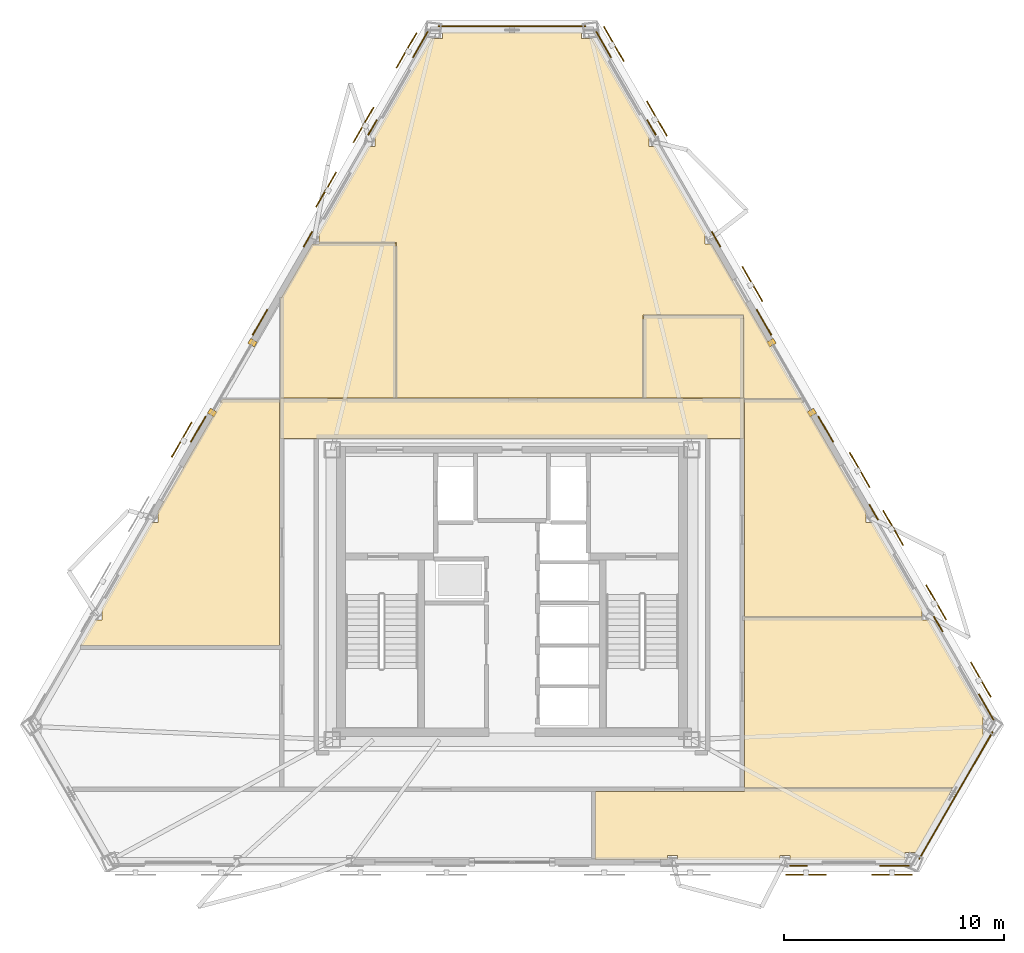
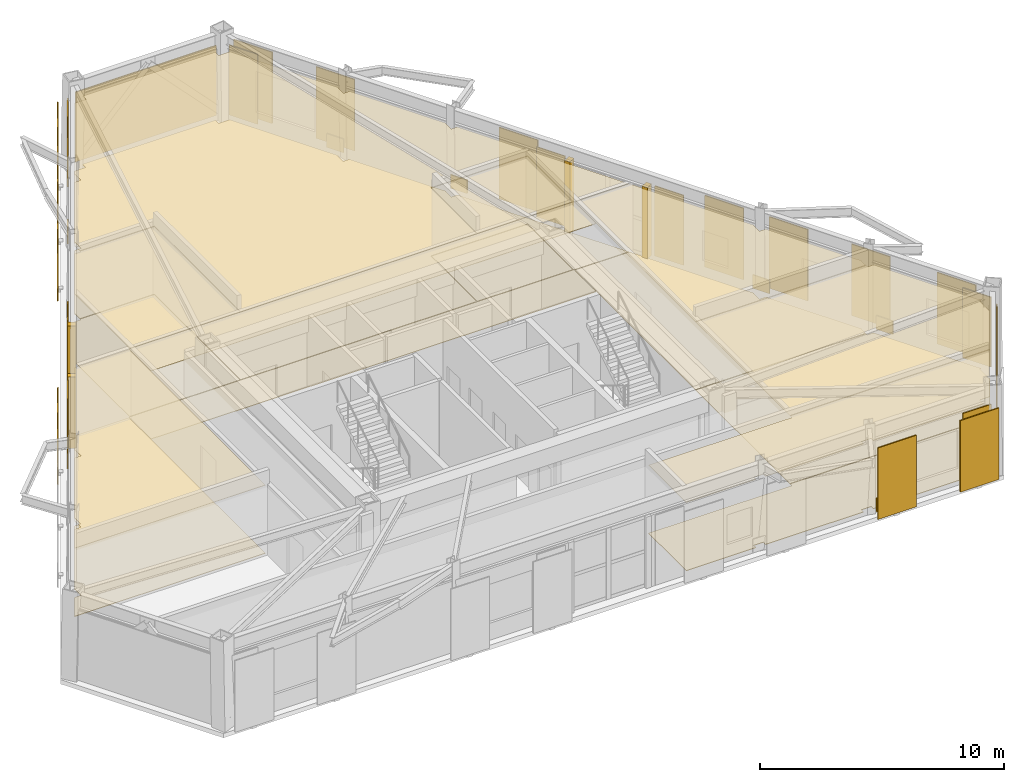
# One storey, part 13 of 14: 37 coverings, 13 shading devices.
"""IFC4 building model written with IfcOpenShell, lengths in metres."""

from ifc_helpers import new_model, si_unit, direction, frame, origin, origin_2d, place, context, subcontext, project, spatial, polyline, rectangle, outline, extrude, material, layer, layer_set, type_object, element, save


model = new_model("IFC4")

# Units and contexts
model_context = context("Model", 3, precision=1e-05, world=origin(), true_north=direction((0.0, 1.0)))
body_context = subcontext(model_context, "Body", "Model", "MODEL_VIEW")
ifc_project = project(units=[si_unit("LENGTHUNIT", "METRE"), si_unit("AREAUNIT", "SQUARE_METRE"), si_unit("VOLUMEUNIT", "CUBIC_METRE"), si_unit("PLANEANGLEUNIT", "RADIAN"), si_unit("MASSUNIT", "GRAM", prefix="KILO")], contexts=[model_context])

# Site, building, storey
site_placement = place(None, origin())
site = spatial("IfcSite", under=ifc_project, at=site_placement, CompositionType="ELEMENT")
building_placement = place(site_placement, origin())
building = spatial("IfcBuilding", under=site, at=building_placement, Name="Oramaril Tower", CompositionType="ELEMENT")
storey_placement = place(building_placement, frame((0.0, 0.0, 204.60009765625)))
storey = spatial("IfcBuildingStorey", under=building, at=storey_placement, Name="L54", CompositionType="ELEMENT", Elevation=204.60009765625)

# Coverings
ifc_material_1 = material(Name="Mineral Fibre Acoustic Ceiling")
ifc_layer_1 = layer(ifc_material_1, 0.02001953125)
ifc_layer_set_1 = layer_set([ifc_layer_1], Name="CVT-CEIL")
covering_type_1 = type_object("IfcCoveringType", Name="CVT-CEIL", PredefinedType="CEILING", material=ifc_layer_set_1)
covering_1_placement = place(storey_placement, frame((0.0, 0.0, 3.411865234375)))
element("IfcCovering", 1, at=covering_1_placement, inside=storey, type_object=covering_type_1, Name="L54 Acoustic Suspended Ceiling 2", PredefinedType="CEILING", context=body_context, shape_type="SweptSolid", body=[
    extrude(outline(polyline([(48.030029296875, 26.47998046875), (48.030029296875, 24.669921875), (26.969970703125, 24.669921875), (26.969970703125, 26.47998046875), (48.030029296875, 26.47998046875)])), origin(), (0.0, 0.0, 1.0), 0.02001953125),
])
covering_2_placement = place(storey_placement, frame((0.0, 0.0, 3.411865234375)))
element("IfcCovering", 2, at=covering_2_placement, inside=storey, type_object=covering_type_1, Name="L54 Acoustic Suspended Ceiling 6", PredefinedType="CEILING", context=body_context, shape_type="SweptSolid", body=[
    extrude(outline(polyline([(50.1181640625, 5.73681640625), (49.659912109375, 5.73681640625), (49.659912109375, 5.557373046875), (45.0126953125, 5.557373046875), (45.0126953125, 5.73681640625), (44.5625, 5.73681640625), (44.5625, 5.557373046875), (41.261962890625, 5.557373046875), (41.261962890625, 8.64990234375), (48.030029296875, 8.64990234375), (48.031982421875, 8.650146484375), (48.033935546875, 8.650390625), (48.035888671875, 8.65087890625), (48.03759765625, 8.651611328125), (48.039306640625, 8.65234375), (48.041015625, 8.6533203125), (48.042724609375, 8.654541015625), (48.044189453125, 8.656005859375), (48.04541015625, 8.6572265625), (48.046630859375, 8.658935546875), (48.047607421875, 8.66064453125), (48.048583984375, 8.662353515625), (48.049072265625, 8.664306640625), (48.049560546875, 8.666015625), (48.0498046875, 8.66796875), (48.050048828125, 8.669921875), (48.050048828125, 8.7919921875), (57.510009765625, 8.7919921875), (55.8330078125, 5.88720703125), (55.334716796875, 5.88720703125), (55.334716796875, 5.557373046875), (50.1181640625, 5.557373046875), (50.1181640625, 5.73681640625)])), origin(), (0.0, 0.0, 1.0), 0.02001953125),
])
covering_3_placement = place(storey_placement, frame((0.0, 0.0, 3.411865234375)))
element("IfcCovering", 3, at=covering_3_placement, inside=storey, type_object=covering_type_1, Name="L54 Acoustic Suspended Ceiling 8", PredefinedType="CEILING", context=body_context, shape_type="SweptSolid", body=[
    extrude(outline(polyline([(18.591064453125, 16.434326171875), (18.89111328125, 16.434326171875), (18.89111328125, 16.92431640625), (18.873779296875, 16.92431640625), (21.143798828125, 20.855712890625), (21.44384765625, 20.855712890625), (21.44384765625, 21.338623046875), (21.422607421875, 21.338623046875), (24.368896484375, 26.44189453125), (26.949951171875, 26.44189453125), (26.949951171875, 24.669921875), (26.9501953125, 24.66796875), (26.950439453125, 24.666015625), (26.950927734375, 24.664306640625), (26.951416015625, 24.662353515625), (26.952392578125, 24.66064453125), (26.95263671875, 24.659912109375), (26.952392578125, 24.659423828125), (26.951416015625, 24.65771484375), (26.950927734375, 24.65576171875), (26.950439453125, 24.65380859375), (26.9501953125, 24.652099609375), (26.949951171875, 24.64990234375), (26.949951171875, 15.261962890625), (17.914306640625, 15.261962890625), (18.591064453125, 16.434326171875)])), origin(), (0.0, 0.0, 1.0), 0.02001953125),
])
covering_4_placement = place(storey_placement, frame((0.0, 0.0, 3.411865234375)))
element("IfcCovering", 4, at=covering_4_placement, inside=storey, type_object=covering_type_1, Name="L54 Acoustic Suspended Ceiling 9", PredefinedType="CEILING", context=body_context, shape_type="SweptSolid", body=[
    extrude(outline(polyline([(56.10888671875, 16.5419921875), (56.10888671875, 16.434326171875), (56.408935546875, 16.434326171875), (58.951904296875, 12.029541015625), (58.87548828125, 12.029541015625), (58.87548828125, 11.23095703125), (58.918212890625, 11.23095703125), (57.52001953125, 8.809326171875), (57.51953125, 8.8095703125), (57.517578125, 8.810302734375), (57.515869140625, 8.81103515625), (57.513916015625, 8.8115234375), (57.511962890625, 8.81201171875), (57.510009765625, 8.81201171875), (48.050048828125, 8.81201171875), (48.050048828125, 10.47998046875), (48.0498046875, 10.48193359375), (48.049560546875, 10.48388671875), (48.049072265625, 10.48583984375), (48.048583984375, 10.48779296875), (48.047607421875, 10.489501953125), (48.04736328125, 10.489990234375), (48.047607421875, 10.490478515625), (48.048583984375, 10.4921875), (48.049072265625, 10.494140625), (48.049560546875, 10.49609375), (48.0498046875, 10.498046875), (48.050048828125, 10.5), (48.050048828125, 16.5419921875), (56.10888671875, 16.5419921875)])), origin(), (0.0, 0.0, 1.0), 0.02001953125),
])
covering_5_placement = place(storey_placement, frame((0.0, 0.0, 3.411865234375)))
element("IfcCovering", 5, at=covering_5_placement, inside=storey, type_object=covering_type_1, Name="L54 Acoustic Suspended Ceiling 10", PredefinedType="CEILING", context=body_context, shape_type="SweptSolid", body=[
    extrude(outline(polyline([(53.577392578125, 21.338623046875), (53.55615234375, 21.338623046875), (53.55615234375, 20.855712890625), (53.856201171875, 20.855712890625), (56.126220703125, 16.92431640625), (56.10888671875, 16.92431640625), (56.10888671875, 16.56201171875), (48.050048828125, 16.56201171875), (48.050048828125, 24.64990234375), (48.0498046875, 24.652099609375), (48.049560546875, 24.65380859375), (48.049072265625, 24.65576171875), (48.048583984375, 24.65771484375), (48.047607421875, 24.659423828125), (48.04736328125, 24.659912109375), (48.047607421875, 24.66064453125), (48.048583984375, 24.662353515625), (48.049072265625, 24.664306640625), (48.049560546875, 24.666015625), (48.0498046875, 24.66796875), (48.050048828125, 24.669921875), (48.050048828125, 26.44189453125), (50.631103515625, 26.44189453125), (53.577392578125, 21.338623046875)])), origin(), (0.0, 0.0, 1.0), 0.02001953125),
])
covering_6_placement = place(storey_placement, frame((0.0, 0.0, 3.411865234375)))
element("IfcCovering", 6, at=covering_6_placement, inside=storey, type_object=covering_type_1, Name="L54 Acoustic Suspended Ceiling 11", PredefinedType="CEILING", context=body_context, shape_type="SweptSolid", body=[
    extrude(outline(polyline([(32.241943359375, 26.5), (27.008056640625, 26.5), (27.008056640625, 31.0126953125), (28.43701171875, 33.488037109375), (28.7373046875, 33.488037109375), (28.7373046875, 33.5419921875), (32.241943359375, 33.5419921875), (32.241943359375, 26.5)])), origin(), (0.0, 0.0, 1.0), 0.02001953125),
])
covering_7_placement = place(storey_placement, frame((0.0, 0.0, 3.411865234375)))
element("IfcCovering", 7, at=covering_7_placement, inside=storey, type_object=covering_type_1, Name="L54 Acoustic Suspended Ceiling 12", PredefinedType="CEILING", context=body_context, shape_type="SweptSolid", body=[
    extrude(outline(polyline([(47.991943359375, 30.241943359375), (47.991943359375, 26.5), (43.4580078125, 26.5), (43.4580078125, 30.241943359375), (47.991943359375, 30.241943359375)])), origin(), (0.0, 0.0, 1.0), 0.02001953125),
])
covering_8_placement = place(storey_placement, frame((0.0, 0.0, 3.411865234375)))
element("IfcCovering", 8, at=covering_8_placement, inside=storey, type_object=covering_type_1, Name="L54 Acoustic Suspended Ceiling 13", PredefinedType="CEILING", context=body_context, shape_type="SweptSolid", body=[
    extrude(outline(polyline([(28.7373046875, 33.951171875), (28.70458984375, 33.951171875), (30.98974609375, 37.909423828125), (31.289794921875, 37.909423828125), (31.289794921875, 38.365478515625), (31.253173828125, 38.365478515625), (33.820068359375, 42.811767578125), (34.357666015625, 42.811767578125), (34.357666015625, 43.083251953125), (40.642333984375, 43.083251953125), (40.642333984375, 42.811767578125), (41.179931640625, 42.811767578125), (43.746826171875, 38.365478515625), (43.710205078125, 38.365478515625), (43.710205078125, 37.909423828125), (44.01025390625, 37.909423828125), (46.29541015625, 33.951171875), (46.2626953125, 33.951171875), (46.2626953125, 33.488037109375), (46.56298828125, 33.488037109375), (50.619384765625, 26.4619140625), (48.050048828125, 26.4619140625), (48.050048828125, 26.47998046875), (48.0498046875, 26.48193359375), (48.049560546875, 26.48388671875), (48.049072265625, 26.48583984375), (48.048583984375, 26.48779296875), (48.047607421875, 26.489501953125), (48.046630859375, 26.4912109375), (48.04541015625, 26.49267578125), (48.044189453125, 26.494140625), (48.042724609375, 26.49560546875), (48.041015625, 26.49658203125), (48.039306640625, 26.49755859375), (48.03759765625, 26.49853515625), (48.035888671875, 26.4990234375), (48.033935546875, 26.49951171875), (48.031982421875, 26.5), (48.030029296875, 26.5), (48.011962890625, 26.5), (48.011962890625, 30.241943359375), (48.011962890625, 30.243896484375), (48.01171875, 30.245849609375), (48.010986328125, 30.247802734375), (48.010498046875, 30.249755859375), (48.009521484375, 30.25146484375), (48.008544921875, 30.253173828125), (48.007568359375, 30.254638671875), (48.006103515625, 30.256103515625), (48.004638671875, 30.257568359375), (48.003173828125, 30.258544921875), (48.00146484375, 30.259521484375), (47.999755859375, 30.260498046875), (47.997802734375, 30.260986328125), (47.995849609375, 30.26171875), (47.993896484375, 30.261962890625), (47.991943359375, 30.261962890625), (43.4580078125, 30.261962890625), (43.4560546875, 30.261962890625), (43.4541015625, 30.26171875), (43.4521484375, 30.260986328125), (43.4501953125, 30.260498046875), (43.448486328125, 30.259521484375), (43.447021484375, 30.258544921875), (43.4453125, 30.257568359375), (43.44384765625, 30.256103515625), (43.4423828125, 30.254638671875), (43.44140625, 30.253173828125), (43.4404296875, 30.25146484375), (43.439453125, 30.249755859375), (43.43896484375, 30.247802734375), (43.4384765625, 30.245849609375), (43.43798828125, 30.243896484375), (43.43798828125, 30.241943359375), (43.43798828125, 26.5), (32.261962890625, 26.5), (32.261962890625, 33.5419921875), (32.261962890625, 33.5439453125), (32.26171875, 33.5458984375), (32.260986328125, 33.5478515625), (32.260498046875, 33.5498046875), (32.259521484375, 33.551513671875), (32.258544921875, 33.552978515625), (32.257568359375, 33.5546875), (32.256103515625, 33.55615234375), (32.254638671875, 33.5576171875), (32.253173828125, 33.55859375), (32.25146484375, 33.5595703125), (32.249755859375, 33.560546875), (32.247802734375, 33.56103515625), (32.245849609375, 33.5615234375), (32.243896484375, 33.56201171875), (32.241943359375, 33.56201171875), (28.7373046875, 33.56201171875), (28.7373046875, 33.951171875)])), origin(), (0.0, 0.0, 1.0), 0.02001953125),
])
ifc_material_2 = material(Name="Warm Cream Limestone", Category="masonry")
ifc_layer_2 = layer(ifc_material_2, 0.050048828125)
ifc_layer_set_2 = layer_set([ifc_layer_2], Name="CVT-CLD")
covering_type_2 = type_object("IfcCoveringType", Name="CVT-CLD", PredefinedType="CLADDING", material=ifc_layer_set_2)
covering_9_placement = place(storey_placement, frame((54.854736328125, 5.28125, 0.039794921875), z_axis=(0.0, 0.0, 1.0), x_axis=(1.0, 0.0, 0.0)))
element("IfcCovering", 9, at=covering_9_placement, inside=storey, type_object=covering_type_2, Name="L54 Warm Cream Limestone Cladding", PredefinedType="CLADDING", context=body_context, shape_type="SweptSolid", body=[
    extrude(rectangle(XDim=1.35009765625, YDim=0.050048828125, at=origin_2d()), origin(), (0.0, 0.0, 1.0), 3.4970703125),
])
covering_10_placement = place(storey_placement, frame((50.50341796875, 5.28125, 0.0400390625), z_axis=(0.0, 0.0, 1.0), x_axis=(1.0, 0.0, 0.0)))
element("IfcCovering", 10, at=covering_10_placement, inside=storey, type_object=covering_type_2, Name="L54 Warm Cream Limestone Spandrel Cladding", PredefinedType="CLADDING", context=body_context, shape_type="SweptSolid", body=[
    extrude(rectangle(XDim=0.800048828125, YDim=0.050048828125, at=origin_2d()), origin(), (0.0, 0.0, 1.0), 0.679931640625),
])
covering_11_placement = place(storey_placement, frame((57.64306640625, 8.470458984375, 0.039794921875), z_axis=(0.0, 0.0, 1.0), x_axis=(0.4999984885, 0.866026276448, 0.0)))
element("IfcCovering", 11, at=covering_11_placement, inside=storey, type_object=covering_type_2, Name="L54 Warm Cream Limestone Cladding", PredefinedType="CLADDING", context=body_context, shape_type="SweptSolid", body=[
    extrude(rectangle(XDim=6.6708984375, YDim=0.050048828125, at=origin_2d()), origin(), (0.0, 0.0, 1.0), 3.4970703125),
])
for number, where, z_axis, x_axis, name in (
    (12, (51.102783203125, 25.840576171875, 0.0), (0.0, 0.0, 1.0), (-0.5, 0.866025403784, 0.0), "L54 Curtain Wall Limestone Jamb Closure"),
    (13, (49.27294921875, 29.01025390625, 0.0), (0.0, 0.0, 1.0), (-0.5, 0.866025403784, 0.0), "L54 Curtain Wall Limestone Jamb Closure"),
):
    element("IfcCovering", number, at=place(storey_placement, frame(where, z_axis=z_axis, x_axis=x_axis)), inside=storey, type_object=covering_type_2, Name=name, PredefinedType="CLADDING", context=body_context, shape_type="SweptSolid", body=[
        extrude(rectangle(XDim=0.260009765625, YDim=0.340087890625, at=origin_2d()), origin(), (0.0, 0.0, 1.0), 3.576904296875),
    ])
for number, where, z_axis, x_axis, name in (
    (14, (59.0107421875, 12.479736328125, 0.039794921875), (0.0, 0.0, 1.0), (-0.5, 0.866025403784, 0.0), "L54 Warm Cream Limestone Cladding"),
    (15, (51.7333984375, 25.084716796875, 0.039794921875), (0.0, 0.0, 1.0), (-0.5, 0.866025403784, 0.0), "L54 Warm Cream Limestone Cladding"),
):
    element("IfcCovering", number, at=place(storey_placement, frame(where, z_axis=z_axis, x_axis=x_axis)), inside=storey, type_object=covering_type_2, Name=name, PredefinedType="CLADDING", context=body_context, shape_type="SweptSolid", body=[
        extrude(rectangle(XDim=1.35009765625, YDim=0.050048828125, at=origin_2d()), origin(), (0.0, 0.0, 1.0), 3.4970703125),
    ])
for number, where, z_axis, x_axis, name in (
    (16, (56.8349609375, 16.248291015625, 0.0400390625), (0.0, 0.0, 1.0), (-0.5, 0.866025403784, 0.0), "L54 Warm Cream Limestone Spandrel Cladding"),
    (17, (53.9091796875, 21.31591796875, 0.0400390625), (0.0, 0.0, 1.0), (-0.5, 0.866025403784, 0.0), "L54 Warm Cream Limestone Spandrel Cladding"),
):
    element("IfcCovering", number, at=place(storey_placement, frame(where, z_axis=z_axis, x_axis=x_axis)), inside=storey, type_object=covering_type_2, Name=name, PredefinedType="CLADDING", context=body_context, shape_type="SweptSolid", body=[
        extrude(rectangle(XDim=0.800048828125, YDim=0.050048828125, at=origin_2d()), origin(), (0.0, 0.0, 1.0), 0.679931640625),
    ])
for number, where, z_axis, x_axis, name in (
    (18, (48.933349609375, 29.934326171875, 0.039794921875), (0.0, 0.0, 1.0), (-0.5, 0.866025403784, 0.0), "L54 Warm Cream Limestone Cladding"),
    (19, (41.656005859375, 42.5390625, 0.039794921875), (0.0, 0.0, 1.0), (-0.5, 0.866025403784, 0.0), "L54 Warm Cream Limestone Cladding"),
):
    element("IfcCovering", number, at=place(storey_placement, frame(where, z_axis=z_axis, x_axis=x_axis)), inside=storey, type_object=covering_type_2, Name=name, PredefinedType="CLADDING", context=body_context, shape_type="SweptSolid", body=[
        extrude(rectangle(XDim=1.35009765625, YDim=0.050048828125, at=origin_2d()), origin(), (0.0, 0.0, 1.0), 3.4970703125),
    ])
for number, where, z_axis, x_axis, name in (
    (20, (46.757568359375, 33.702880859375, 0.0400390625), (0.0, 0.0, 1.0), (-0.5, 0.866025403784, 0.0), "L54 Warm Cream Limestone Spandrel Cladding"),
    (21, (43.831787109375, 38.7705078125, 0.0400390625), (0.0, 0.0, 1.0), (-0.5, 0.866025403784, 0.0), "L54 Warm Cream Limestone Spandrel Cladding"),
):
    element("IfcCovering", number, at=place(storey_placement, frame(where, z_axis=z_axis, x_axis=x_axis)), inside=storey, type_object=covering_type_2, Name=name, PredefinedType="CLADDING", context=body_context, shape_type="SweptSolid", body=[
        extrude(rectangle(XDim=0.800048828125, YDim=0.050048828125, at=origin_2d()), origin(), (0.0, 0.0, 1.0), 0.679931640625),
    ])
covering_12_placement = place(storey_placement, frame((37.5, 43.359130859375, 0.039794921875), z_axis=(0.0, 0.0, 1.0), x_axis=(-1.0, 0.0, 0.0)))
element("IfcCovering", 22, at=covering_12_placement, inside=storey, type_object=covering_type_2, Name="L54 Warm Cream Limestone Cladding", PredefinedType="CLADDING", context=body_context, shape_type="SweptSolid", body=[
    extrude(rectangle(XDim=6.6708984375, YDim=0.050048828125, at=origin_2d()), origin(), (0.0, 0.0, 1.0), 3.4970703125),
])
for number, where, z_axis, x_axis, name in (
    (23, (25.72705078125, 29.01025390625, 0.0), (0.0, 0.0, 1.0), (-0.5, -0.866025403784, 0.0), "L54 Curtain Wall Limestone Jamb Closure"),
    (24, (23.897216796875, 25.840576171875, 0.0), (0.0, 0.0, 1.0), (-0.5, -0.866025403784, 0.0), "L54 Curtain Wall Limestone Jamb Closure"),
):
    element("IfcCovering", number, at=place(storey_placement, frame(where, z_axis=z_axis, x_axis=x_axis)), inside=storey, type_object=covering_type_2, Name=name, PredefinedType="CLADDING", context=body_context, shape_type="SweptSolid", body=[
        extrude(rectangle(XDim=0.260009765625, YDim=0.340087890625, at=origin_2d()), origin(), (0.0, 0.0, 1.0), 3.576904296875),
    ])
for number, where, z_axis, x_axis, name in (
    (25, (33.343994140625, 42.5390625, 0.039794921875), (0.0, 0.0, 1.0), (-0.5, -0.866025403784, 0.0), "L54 Warm Cream Limestone Cladding"),
    (26, (26.066650390625, 29.93408203125, 0.039794921875), (0.0, 0.0, 1.0), (-0.5, -0.866025403784, 0.0), "L54 Warm Cream Limestone Cladding"),
):
    element("IfcCovering", number, at=place(storey_placement, frame(where, z_axis=z_axis, x_axis=x_axis)), inside=storey, type_object=covering_type_2, Name=name, PredefinedType="CLADDING", context=body_context, shape_type="SweptSolid", body=[
        extrude(rectangle(XDim=1.35009765625, YDim=0.050048828125, at=origin_2d()), origin(), (0.0, 0.0, 1.0), 3.4970703125),
    ])
for number, where, z_axis, x_axis, name in (
    (27, (31.168212890625, 38.7705078125, 0.0400390625), (0.0, 0.0, 1.0), (-0.5, -0.866025403784, 0.0), "L54 Warm Cream Limestone Spandrel Cladding"),
    (28, (28.242431640625, 33.702880859375, 0.0400390625), (0.0, 0.0, 1.0), (-0.5, -0.866025403784, 0.0), "L54 Warm Cream Limestone Spandrel Cladding"),
):
    element("IfcCovering", number, at=place(storey_placement, frame(where, z_axis=z_axis, x_axis=x_axis)), inside=storey, type_object=covering_type_2, Name=name, PredefinedType="CLADDING", context=body_context, shape_type="SweptSolid", body=[
        extrude(rectangle(XDim=0.800048828125, YDim=0.050048828125, at=origin_2d()), origin(), (0.0, 0.0, 1.0), 0.679931640625),
    ])
covering_13_placement = place(storey_placement, frame((23.2666015625, 25.08447265625, 0.039794921875), z_axis=(0.0, 0.0, 1.0), x_axis=(-0.5, -0.866025403784, 0.0)))
element("IfcCovering", 29, at=covering_13_placement, inside=storey, type_object=covering_type_2, Name="L54 Warm Cream Limestone Cladding", PredefinedType="CLADDING", context=body_context, shape_type="SweptSolid", body=[
    extrude(rectangle(XDim=1.35009765625, YDim=0.050048828125, at=origin_2d()), origin(), (0.0, 0.0, 1.0), 3.4970703125),
])
ifc_material_3 = material(Name="Honed Quartzite Stone Flooring", Category="masonry")
ifc_layer_3 = layer(ifc_material_3, 0.02490234375)
ifc_layer_set_3 = layer_set([ifc_layer_3], Name="CVT-FLR")
covering_type_3 = type_object("IfcCoveringType", Name="CVT-FLR", PredefinedType="FLOORING", material=ifc_layer_set_3)
covering_14_placement = place(storey_placement, origin())
element("IfcCovering", 30, at=covering_14_placement, inside=storey, type_object=covering_type_3, Name="L54 Honed Stone Floor Finish 2", PredefinedType="FLOORING", context=body_context, shape_type="SweptSolid", body=[
    extrude(outline(polyline([(48.030029296875, 26.47998046875), (48.030029296875, 24.669921875), (26.969970703125, 24.669921875), (26.969970703125, 26.47998046875), (48.030029296875, 26.47998046875)])), origin(), (0.0, 0.0, 1.0), 0.02490234375),
])
covering_15_placement = place(storey_placement, origin())
element("IfcCovering", 31, at=covering_15_placement, inside=storey, type_object=covering_type_3, Name="L54 Honed Stone Floor Finish 6", PredefinedType="FLOORING", context=body_context, shape_type="SweptSolid", body=[
    extrude(outline(polyline([(50.1181640625, 5.73681640625), (49.659912109375, 5.73681640625), (49.659912109375, 5.557373046875), (45.0126953125, 5.557373046875), (45.0126953125, 5.73681640625), (44.5625, 5.73681640625), (44.5625, 5.557373046875), (41.261962890625, 5.557373046875), (41.261962890625, 8.64990234375), (48.030029296875, 8.64990234375), (48.031982421875, 8.650146484375), (48.033935546875, 8.650390625), (48.035888671875, 8.65087890625), (48.03759765625, 8.651611328125), (48.039306640625, 8.65234375), (48.041015625, 8.6533203125), (48.042724609375, 8.654541015625), (48.044189453125, 8.656005859375), (48.04541015625, 8.6572265625), (48.046630859375, 8.658935546875), (48.047607421875, 8.66064453125), (48.048583984375, 8.662353515625), (48.049072265625, 8.664306640625), (48.049560546875, 8.666015625), (48.0498046875, 8.66796875), (48.050048828125, 8.669921875), (48.050048828125, 8.7919921875), (57.510009765625, 8.7919921875), (55.8330078125, 5.88720703125), (55.334716796875, 5.88720703125), (55.334716796875, 5.557373046875), (50.1181640625, 5.557373046875), (50.1181640625, 5.73681640625)])), origin(), (0.0, 0.0, 1.0), 0.02490234375),
])
covering_16_placement = place(storey_placement, origin())
element("IfcCovering", 32, at=covering_16_placement, inside=storey, type_object=covering_type_3, Name="L54 Honed Stone Floor Finish 8", PredefinedType="FLOORING", context=body_context, shape_type="SweptSolid", body=[
    extrude(outline(polyline([(18.591064453125, 16.434326171875), (18.89111328125, 16.434326171875), (18.89111328125, 16.92431640625), (18.873779296875, 16.92431640625), (21.143798828125, 20.855712890625), (21.44384765625, 20.855712890625), (21.44384765625, 21.338623046875), (21.422607421875, 21.338623046875), (24.368896484375, 26.44189453125), (26.949951171875, 26.44189453125), (26.949951171875, 24.669921875), (26.9501953125, 24.66796875), (26.950439453125, 24.666015625), (26.950927734375, 24.664306640625), (26.951416015625, 24.662353515625), (26.952392578125, 24.66064453125), (26.95263671875, 24.659912109375), (26.952392578125, 24.659423828125), (26.951416015625, 24.65771484375), (26.950927734375, 24.65576171875), (26.950439453125, 24.65380859375), (26.9501953125, 24.652099609375), (26.949951171875, 24.64990234375), (26.949951171875, 15.261962890625), (17.914306640625, 15.261962890625), (18.591064453125, 16.434326171875)])), origin(), (0.0, 0.0, 1.0), 0.02490234375),
])
covering_17_placement = place(storey_placement, origin())
element("IfcCovering", 33, at=covering_17_placement, inside=storey, type_object=covering_type_3, Name="L54 Honed Stone Floor Finish 9", PredefinedType="FLOORING", context=body_context, shape_type="SweptSolid", body=[
    extrude(outline(polyline([(56.10888671875, 16.5419921875), (56.10888671875, 16.434326171875), (56.408935546875, 16.434326171875), (58.951904296875, 12.029541015625), (58.87548828125, 12.029541015625), (58.87548828125, 11.23095703125), (58.918212890625, 11.23095703125), (57.52001953125, 8.809326171875), (57.51953125, 8.8095703125), (57.517578125, 8.810302734375), (57.515869140625, 8.81103515625), (57.513916015625, 8.8115234375), (57.511962890625, 8.81201171875), (57.510009765625, 8.81201171875), (48.050048828125, 8.81201171875), (48.050048828125, 10.47998046875), (48.0498046875, 10.48193359375), (48.049560546875, 10.48388671875), (48.049072265625, 10.48583984375), (48.048583984375, 10.48779296875), (48.047607421875, 10.489501953125), (48.04736328125, 10.489990234375), (48.047607421875, 10.490478515625), (48.048583984375, 10.4921875), (48.049072265625, 10.494140625), (48.049560546875, 10.49609375), (48.0498046875, 10.498046875), (48.050048828125, 10.5), (48.050048828125, 16.5419921875), (56.10888671875, 16.5419921875)])), origin(), (0.0, 0.0, 1.0), 0.02490234375),
])
covering_18_placement = place(storey_placement, origin())
element("IfcCovering", 34, at=covering_18_placement, inside=storey, type_object=covering_type_3, Name="L54 Honed Stone Floor Finish 10", PredefinedType="FLOORING", context=body_context, shape_type="SweptSolid", body=[
    extrude(outline(polyline([(53.577392578125, 21.338623046875), (53.55615234375, 21.338623046875), (53.55615234375, 20.855712890625), (53.856201171875, 20.855712890625), (56.126220703125, 16.92431640625), (56.10888671875, 16.92431640625), (56.10888671875, 16.56201171875), (48.050048828125, 16.56201171875), (48.050048828125, 24.64990234375), (48.0498046875, 24.652099609375), (48.049560546875, 24.65380859375), (48.049072265625, 24.65576171875), (48.048583984375, 24.65771484375), (48.047607421875, 24.659423828125), (48.04736328125, 24.659912109375), (48.047607421875, 24.66064453125), (48.048583984375, 24.662353515625), (48.049072265625, 24.664306640625), (48.049560546875, 24.666015625), (48.0498046875, 24.66796875), (48.050048828125, 24.669921875), (48.050048828125, 26.44189453125), (50.631103515625, 26.44189453125), (53.577392578125, 21.338623046875)])), origin(), (0.0, 0.0, 1.0), 0.02490234375),
])
covering_19_placement = place(storey_placement, origin())
element("IfcCovering", 35, at=covering_19_placement, inside=storey, type_object=covering_type_3, Name="L54 Honed Stone Floor Finish 11", PredefinedType="FLOORING", context=body_context, shape_type="SweptSolid", body=[
    extrude(outline(polyline([(32.241943359375, 26.5), (27.008056640625, 26.5), (27.008056640625, 31.0126953125), (28.43701171875, 33.488037109375), (28.7373046875, 33.488037109375), (28.7373046875, 33.5419921875), (32.241943359375, 33.5419921875), (32.241943359375, 26.5)])), origin(), (0.0, 0.0, 1.0), 0.02490234375),
])
covering_20_placement = place(storey_placement, origin())
element("IfcCovering", 36, at=covering_20_placement, inside=storey, type_object=covering_type_3, Name="L54 Honed Stone Floor Finish 12", PredefinedType="FLOORING", context=body_context, shape_type="SweptSolid", body=[
    extrude(outline(polyline([(47.991943359375, 30.241943359375), (47.991943359375, 26.5), (43.4580078125, 26.5), (43.4580078125, 30.241943359375), (47.991943359375, 30.241943359375)])), origin(), (0.0, 0.0, 1.0), 0.02490234375),
])
covering_21_placement = place(storey_placement, origin())
element("IfcCovering", 37, at=covering_21_placement, inside=storey, type_object=covering_type_3, Name="L54 Honed Stone Floor Finish 13", PredefinedType="FLOORING", context=body_context, shape_type="SweptSolid", body=[
    extrude(outline(polyline([(28.7373046875, 33.951171875), (28.70458984375, 33.951171875), (30.98974609375, 37.909423828125), (31.289794921875, 37.909423828125), (31.289794921875, 38.365478515625), (31.253173828125, 38.365478515625), (33.820068359375, 42.811767578125), (34.357666015625, 42.811767578125), (34.357666015625, 43.083251953125), (40.642333984375, 43.083251953125), (40.642333984375, 42.811767578125), (41.179931640625, 42.811767578125), (43.746826171875, 38.365478515625), (43.710205078125, 38.365478515625), (43.710205078125, 37.909423828125), (44.01025390625, 37.909423828125), (46.29541015625, 33.951171875), (46.2626953125, 33.951171875), (46.2626953125, 33.488037109375), (46.56298828125, 33.488037109375), (50.619384765625, 26.4619140625), (48.050048828125, 26.4619140625), (48.050048828125, 26.47998046875), (48.0498046875, 26.48193359375), (48.049560546875, 26.48388671875), (48.049072265625, 26.48583984375), (48.048583984375, 26.48779296875), (48.047607421875, 26.489501953125), (48.046630859375, 26.4912109375), (48.04541015625, 26.49267578125), (48.044189453125, 26.494140625), (48.042724609375, 26.49560546875), (48.041015625, 26.49658203125), (48.039306640625, 26.49755859375), (48.03759765625, 26.49853515625), (48.035888671875, 26.4990234375), (48.033935546875, 26.49951171875), (48.031982421875, 26.5), (48.030029296875, 26.5), (48.011962890625, 26.5), (48.011962890625, 30.241943359375), (48.011962890625, 30.243896484375), (48.01171875, 30.245849609375), (48.010986328125, 30.247802734375), (48.010498046875, 30.249755859375), (48.009521484375, 30.25146484375), (48.008544921875, 30.253173828125), (48.007568359375, 30.254638671875), (48.006103515625, 30.256103515625), (48.004638671875, 30.257568359375), (48.003173828125, 30.258544921875), (48.00146484375, 30.259521484375), (47.999755859375, 30.260498046875), (47.997802734375, 30.260986328125), (47.995849609375, 30.26171875), (47.993896484375, 30.261962890625), (47.991943359375, 30.261962890625), (43.4580078125, 30.261962890625), (43.4560546875, 30.261962890625), (43.4541015625, 30.26171875), (43.4521484375, 30.260986328125), (43.4501953125, 30.260498046875), (43.448486328125, 30.259521484375), (43.447021484375, 30.258544921875), (43.4453125, 30.257568359375), (43.44384765625, 30.256103515625), (43.4423828125, 30.254638671875), (43.44140625, 30.253173828125), (43.4404296875, 30.25146484375), (43.439453125, 30.249755859375), (43.43896484375, 30.247802734375), (43.4384765625, 30.245849609375), (43.43798828125, 30.243896484375), (43.43798828125, 30.241943359375), (43.43798828125, 26.5), (32.261962890625, 26.5), (32.261962890625, 33.5419921875), (32.261962890625, 33.5439453125), (32.26171875, 33.5458984375), (32.260986328125, 33.5478515625), (32.260498046875, 33.5498046875), (32.259521484375, 33.551513671875), (32.258544921875, 33.552978515625), (32.257568359375, 33.5546875), (32.256103515625, 33.55615234375), (32.254638671875, 33.5576171875), (32.253173828125, 33.55859375), (32.25146484375, 33.5595703125), (32.249755859375, 33.560546875), (32.247802734375, 33.56103515625), (32.245849609375, 33.5615234375), (32.243896484375, 33.56201171875), (32.241943359375, 33.56201171875), (28.7373046875, 33.56201171875), (28.7373046875, 33.951171875)])), origin(), (0.0, 0.0, 1.0), 0.02490234375),
])

# Shading devices
for number, where, z_axis, x_axis, name in (
    (38, (50.83544921875, 4.869384765625, -0.02001953125), (0.0, 0.0, 1.0), (1.0, 0.0, 0.0), "L54 Perforated Ceramic Solar Screen"),
    (39, (54.735595703125, 4.869384765625, -0.02001953125), (0.0, 0.0, 1.0), (1.0, 0.0, 0.0), "L54 Perforated Ceramic Solar Screen"),
    (40, (58.77001953125, 13.720947265625, -0.02001953125), (0.0, 0.0, 1.0), (-0.4999984885, 0.866026276448, 0.0), "L54 Perforated Ceramic Solar Screen"),
    (41, (56.743896484375, 17.22998046875, -0.02001953125), (0.0, 0.0, 1.0), (-0.4999984885, 0.866026276448, 0.0), "L54 Perforated Ceramic Solar Screen"),
    (42, (54.7939453125, 20.607666015625, -0.02001953125), (0.0, 0.0, 1.0), (-0.4999984885, 0.866026276448, 0.0), "L54 Perforated Ceramic Solar Screen"),
    (43, (53.271728515625, 23.244140625, -0.02001953125), (0.0, 0.0, 1.0), (-0.4999984885, 0.866026276448, 0.0), "L54 Perforated Ceramic Solar Screen"),
    (44, (48.405517578125, 31.672607421875, -0.02001953125), (0.0, 0.0, 1.0), (-0.500001511499, 0.866024531118, 0.0), "L54 Perforated Ceramic Solar Screen"),
    (45, (44.072509765625, 39.177490234375, -0.02001953125), (0.0, 0.0, 1.0), (-0.500001511499, 0.866024531118, 0.0), "L54 Perforated Ceramic Solar Screen"),
    (46, (42.12255859375, 42.55517578125, -0.02001953125), (0.0, 0.0, 1.0), (-0.500001511499, 0.866024531118, 0.0), "L54 Perforated Ceramic Solar Screen"),
    (47, (32.715087890625, 42.273681640625, -0.02001953125), (0.0, 0.0, 1.0), (-0.4999984885, -0.866026276448, 0.0), "L54 Perforated Ceramic Solar Screen"),
    (48, (30.76513671875, 38.896240234375, -0.02001953125), (0.0, 0.0, 1.0), (-0.4999984885, -0.866026276448, 0.0), "L54 Perforated Ceramic Solar Screen"),
    (49, (29.069580078125, 35.95947265625, -0.02001953125), (0.0, 0.0, 1.0), (-0.4999984885, -0.866026276448, 0.0), "L54 Perforated Ceramic Solar Screen"),
    (50, (22.515625, 24.60791015625, -0.02001953125), (0.0, 0.0, 1.0), (-0.500001511499, -0.866024531118, 0.0), "L54 Perforated Ceramic Solar Screen"),
):
    element("IfcShadingDevice", number, at=place(storey_placement, frame(where, z_axis=z_axis, x_axis=x_axis)), inside=storey, Name=name, ObjectType="SCREEN", PredefinedType="USERDEFINED", context=body_context, shape_type="SweptSolid", body=[
        extrude(rectangle(XDim=1.8330078125, YDim=0.050048828125, at=origin_2d()), origin(), (0.0, 0.0, 1.0), 3.576904296875),
    ])

save(model, "model.ifc")
